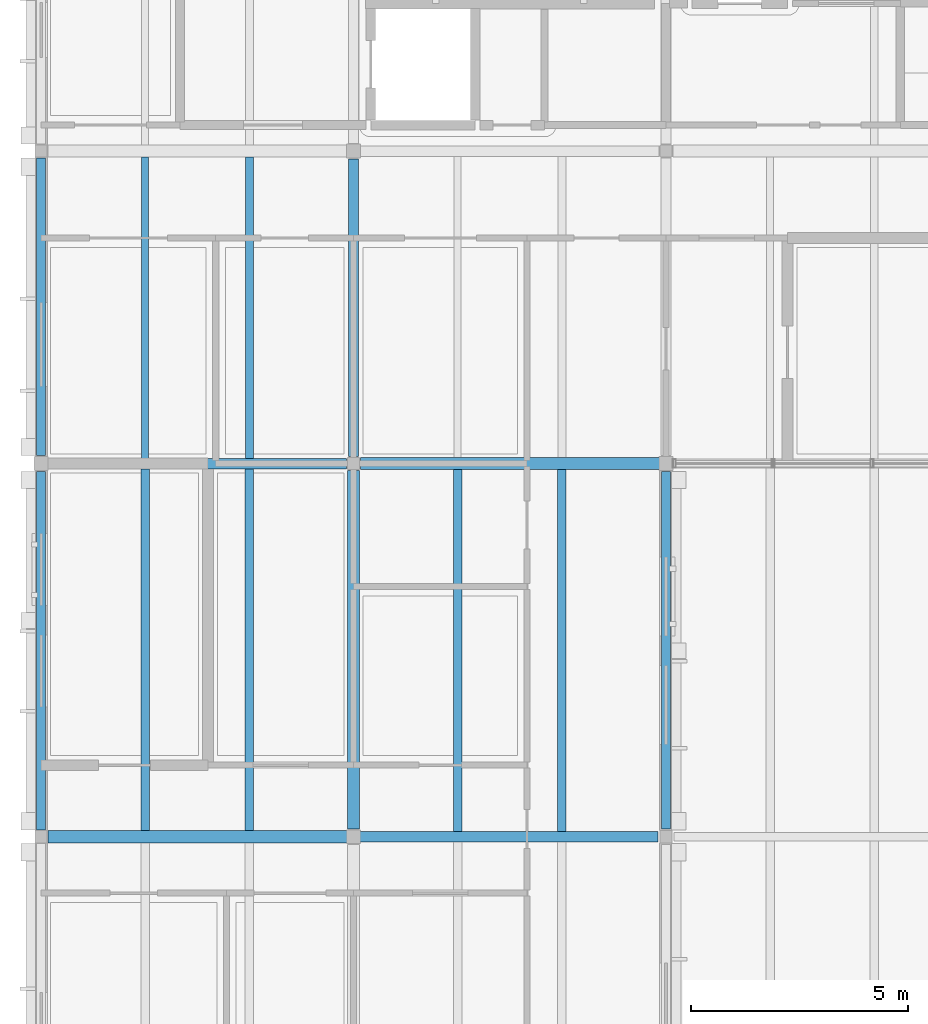
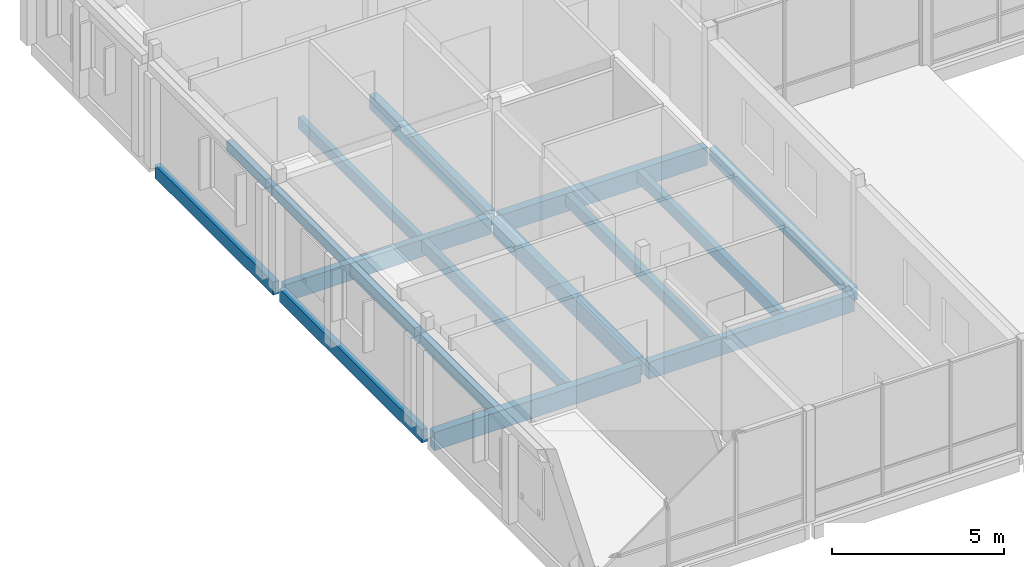
# One storey, part 11 of 57: 15 beams.
"""IFC4 building model written with IfcOpenShell, lengths in metres."""

from ifc_helpers import new_model, si_unit, direction, frame, origin, origin_2d, place, context, subcontext, project, spatial, rectangle, extrude, material, material_profile, profile_set, type_object, element, save


model = new_model("IFC4")

# Units and contexts
model_context = context("Model", 3, precision=1e-05, world=origin(), true_north=direction((0.0, 1.0)))
body_context = subcontext(model_context, "Body", "Model", "MODEL_VIEW")
ifc_project = project(units=[si_unit("LENGTHUNIT", "METRE"), si_unit("AREAUNIT", "SQUARE_METRE"), si_unit("VOLUMEUNIT", "CUBIC_METRE"), si_unit("PLANEANGLEUNIT", "RADIAN"), si_unit("MASSUNIT", "GRAM", prefix="KILO")], contexts=[model_context])

# Site, building, storey
site_placement = place(None, origin())
site = spatial("IfcSite", under=ifc_project, at=site_placement, CompositionType="ELEMENT")
building_placement = place(site_placement, origin())
building = spatial("IfcBuilding", under=site, at=building_placement, Name="Hawrajan Terrace Health Centre", CompositionType="ELEMENT")
storey_placement = place(building_placement, frame((0.0, 0.0, 13.199951171875)))
storey = spatial("IfcBuildingStorey", under=building, at=storey_placement, Name="L03", CompositionType="ELEMENT", Elevation=13.199951171875)

# Beams
ifc_material_1 = material(Name="Glulam GL32h", Category="wood")
ifc_material_profile_1 = material_profile(ifc_material_1, rectangle(XDim=0.239990234375, YDim=0.52001953125, at=origin_2d()), Name="GL BM 240x520")
ifc_profile_set_1 = profile_set([ifc_material_profile_1], Name="Glulam GL32h")
beam_type_1 = type_object("IfcBeamType", Name="GlulamGirder_240x520", PredefinedType="BEAM", material=ifc_profile_set_1)
beam_1_placement = place(storey_placement, frame((11.800048828125, 45.56005859375, -0.469970703125), z_axis=(0.0, 1.0, 0.0), x_axis=(-1.0, 0.0, 0.0)))
element("IfcBeam", 1, at=beam_1_placement, inside=storey, type_object=beam_type_1, Name="Beam BM-Y-L03-W-X02-6", PredefinedType="BEAM", context=body_context, shape_type="SweptSolid", body=[
    extrude(rectangle(XDim=0.239990234375, YDim=0.52001953125, at=origin_2d()), origin(), (0.0, 0.0, 1.0), 6.85986328125),
])
ifc_material_profile_2 = material_profile(ifc_material_1, rectangle(XDim=0.239990234375, YDim=0.60009765625, at=origin_2d()), Name="GL BM 240x600")
ifc_profile_set_2 = profile_set([ifc_material_profile_2], Name="Glulam GL32h")
beam_type_2 = type_object("IfcBeamType", Name="GlulamGirder_240x600", PredefinedType="BEAM", material=ifc_profile_set_2)
beam_2_placement = place(storey_placement, frame((4.739990234375, 45.39990234375, -0.510009765625), z_axis=(1.0, 0.0, 0.0), x_axis=(0.0, 1.0, 0.0)))
element("IfcBeam", 2, at=beam_2_placement, inside=storey, type_object=beam_type_2, Name="Beam BM-X-L03-W-01-Y6", PredefinedType="BEAM", context=body_context, shape_type="SweptSolid", body=[
    extrude(rectangle(XDim=0.239990234375, YDim=0.60009765625, at=origin_2d()), origin(), (0.0, 0.0, 1.0), 6.89990234375),
])
beam_3_placement = place(storey_placement, frame((11.93994140625, 36.800048828125, -0.550048828125), z_axis=(1.0, 0.0, 0.0), x_axis=(0.0, 1.0, 0.0)))
element("IfcBeam", 3, at=beam_3_placement, inside=storey, type_object=beam_type_2, Name="Beam BM-X-L03-W-02-Y5", PredefinedType="BEAM", context=body_context, shape_type="SweptSolid", body=[
    extrude(rectangle(XDim=0.239990234375, YDim=0.60009765625, at=origin_2d()), origin(), (0.0, 0.0, 1.0), 6.880126953125),
])
ifc_material_profile_3 = material_profile(ifc_material_1, rectangle(XDim=0.280029296875, YDim=0.639892578125, at=origin_2d()), Name="GL BM 280x640")
ifc_profile_set_3 = profile_set([ifc_material_profile_3], Name="Glulam GL32h")
beam_type_3 = type_object("IfcBeamType", Name="GlulamGirder_280x640", PredefinedType="BEAM", material=ifc_profile_set_3)
beam_4_placement = place(storey_placement, frame((4.760009765625, 36.800048828125, -0.530029296875), z_axis=(1.0, 0.0, 0.0), x_axis=(0.0, 1.0, 0.0)))
element("IfcBeam", 4, at=beam_4_placement, inside=storey, type_object=beam_type_3, Name="Beam BM-X-L03-W-01-Y5", PredefinedType="BEAM", context=body_context, shape_type="SweptSolid", body=[
    extrude(rectangle(XDim=0.280029296875, YDim=0.639892578125, at=origin_2d()), origin(), (0.0, 0.0, 1.0), 6.89990234375),
])
beam_5_placement = place(storey_placement, frame((11.9599609375, 45.39990234375, -0.570068359375), z_axis=(1.0, 0.0, 0.0), x_axis=(0.0, 1.0, 0.0)))
element("IfcBeam", 5, at=beam_5_placement, inside=storey, type_object=beam_type_3, Name="Beam BM-X-L03-W-02-Y6", PredefinedType="BEAM", context=body_context, shape_type="SweptSolid", body=[
    extrude(rectangle(XDim=0.280029296875, YDim=0.639892578125, at=origin_2d()), origin(), (0.0, 0.0, 1.0), 6.900146484375),
])
beam_6_placement = place(storey_placement, frame((11.800048828125, 36.97998046875, -0.530029296875), z_axis=(0.0, 1.0, 0.0), x_axis=(-1.0, 0.0, 0.0)))
element("IfcBeam", 6, at=beam_6_placement, inside=storey, type_object=beam_type_3, Name="Beam BM-Y-L03-W-X02-5", PredefinedType="BEAM", context=body_context, shape_type="SweptSolid", body=[
    extrude(rectangle(XDim=0.280029296875, YDim=0.639892578125, at=origin_2d()), origin(), (0.0, 0.0, 1.0), 8.260009765625),
])
ifc_material_2 = material(Name="Glulam GL28h", Category="wood")
ifc_material_profile_4 = material_profile(ifc_material_2, rectangle(XDim=0.159912109375, YDim=0.360107421875, at=origin_2d()), Name="GL JST 160x360")
ifc_profile_set_4 = profile_set([ifc_material_profile_4], Name="Glulam GL28h")
beam_type_4 = type_object("IfcBeamType", Name="GlulamJoist_160x360", PredefinedType="JOIST", material=ifc_profile_set_4)
beam_7_placement = place(storey_placement, frame((7.0, 45.52001953125, -0.389892578125), z_axis=(0.0, 1.0, 0.0), x_axis=(-1.0, 0.0, 0.0)))
element("IfcBeam", 7, at=beam_7_placement, inside=storey, type_object=beam_type_4, Name="Secondary joist JST-L03-W-01-6-1", PredefinedType="JOIST", context=body_context, shape_type="SweptSolid", body=[
    extrude(rectangle(XDim=0.159912109375, YDim=0.360107421875, at=origin_2d()), origin(), (0.0, 0.0, 1.0), 6.93994140625),
])
ifc_material_profile_5 = material_profile(ifc_material_2, rectangle(XDim=0.179931640625, YDim=0.39990234375, at=origin_2d()), Name="GL JST 180x400")
ifc_profile_set_5 = profile_set([ifc_material_profile_5], Name="Glulam GL28h")
beam_type_5 = type_object("IfcBeamType", Name="GlulamJoist_180x400", PredefinedType="JOIST", material=ifc_profile_set_5)
beam_8_placement = place(storey_placement, frame((9.39990234375, 45.52001953125, -0.409912109375), z_axis=(0.0, 1.0, 0.0), x_axis=(-1.0, 0.0, 0.0)))
element("IfcBeam", 8, at=beam_8_placement, inside=storey, type_object=beam_type_5, Name="Secondary joist JST-L03-W-01-6-2", PredefinedType="JOIST", context=body_context, shape_type="SweptSolid", body=[
    extrude(rectangle(XDim=0.179931640625, YDim=0.39990234375, at=origin_2d()), origin(), (0.0, 0.0, 1.0), 6.93994140625),
])
ifc_material_profile_6 = material_profile(ifc_material_2, rectangle(XDim=0.199951171875, YDim=0.419921875, at=origin_2d()), Name="GL JST 200x420")
ifc_profile_set_6 = profile_set([ifc_material_profile_6], Name="Glulam GL28h")
beam_type_6 = type_object("IfcBeamType", Name="GlulamJoist_200x420", PredefinedType="JOIST", material=ifc_profile_set_6)
for number, where, z_axis, x_axis, name in (
    (9, (7.0, 36.93994140625, -0.419921875), (0.0, 1.0, 0.0), (-1.0, 0.0, 0.0), "Secondary joist JST-L03-W-01-5-1"),
    (10, (9.39990234375, 36.93994140625, -0.419921875), (0.0, 1.0, 0.0), (-1.0, 0.0, 0.0), "Secondary joist JST-L03-W-01-5-2"),
    (11, (14.199951171875, 36.919921875, -0.4599609375), (0.0, 1.0, 0.0), (-1.0, 0.0, 0.0), "Secondary joist JST-L03-W-02-5-1"),
    (12, (16.60009765625, 36.919921875, -0.4599609375), (0.0, 1.0, 0.0), (-1.0, 0.0, 0.0), "Secondary joist JST-L03-W-02-5-2"),
):
    element("IfcBeam", number, at=place(storey_placement, frame(where, z_axis=z_axis, x_axis=x_axis)), inside=storey, type_object=beam_type_6, Name=name, PredefinedType="JOIST", context=body_context, shape_type="SweptSolid", body=[
        extrude(rectangle(XDim=0.199951171875, YDim=0.419921875, at=origin_2d()), origin(), (0.0, 0.0, 1.0), 8.340087890625),
    ])
ifc_material_profile_7 = material_profile(ifc_material_1, rectangle(XDim=0.199951171875, YDim=0.4599609375, at=origin_2d()), Name="GL SP 200x460")
ifc_profile_set_7 = profile_set([ifc_material_profile_7], Name="Glulam GL32h")
beam_type_7 = type_object("IfcBeamType", Name="GlulamSpandrel_200x460", PredefinedType="SPANDREL", material=ifc_profile_set_7)
beam_9_placement = place(storey_placement, frame((4.60009765625, 36.9599609375, -0.43994140625), z_axis=(0.0, 1.0, 0.0), x_axis=(-1.0, 0.0, 0.0)))
element("IfcBeam", 13, at=beam_9_placement, inside=storey, type_object=beam_type_7, Name="Beam BM-Y-L03-W-X01-5", PredefinedType="SPANDREL", context=body_context, shape_type="SweptSolid", body=[
    extrude(rectangle(XDim=0.199951171875, YDim=0.4599609375, at=origin_2d()), origin(), (0.0, 0.0, 1.0), 8.260009765625),
])
beam_10_placement = place(storey_placement, frame((4.60009765625, 45.580078125, -0.43994140625), z_axis=(0.0, 1.0, 0.0), x_axis=(-1.0, 0.0, 0.0)))
element("IfcBeam", 14, at=beam_10_placement, inside=storey, type_object=beam_type_7, Name="Beam BM-Y-L03-W-X01-6", PredefinedType="SPANDREL", context=body_context, shape_type="SweptSolid", body=[
    extrude(rectangle(XDim=0.199951171875, YDim=0.4599609375, at=origin_2d()), origin(), (0.0, 0.0, 1.0), 6.85986328125),
])
beam_11_placement = place(storey_placement, frame((19.0, 36.97998046875, -0.47998046875), z_axis=(0.0, 1.0, 0.0), x_axis=(-1.0, 0.0, 0.0)))
element("IfcBeam", 15, at=beam_11_placement, inside=storey, type_object=beam_type_7, Name="Beam BM-Y-L03-W-X03-5", PredefinedType="SPANDREL", context=body_context, shape_type="SweptSolid", body=[
    extrude(rectangle(XDim=0.199951171875, YDim=0.4599609375, at=origin_2d()), origin(), (0.0, 0.0, 1.0), 8.239990234375),
])

save(model, "model.ifc")
